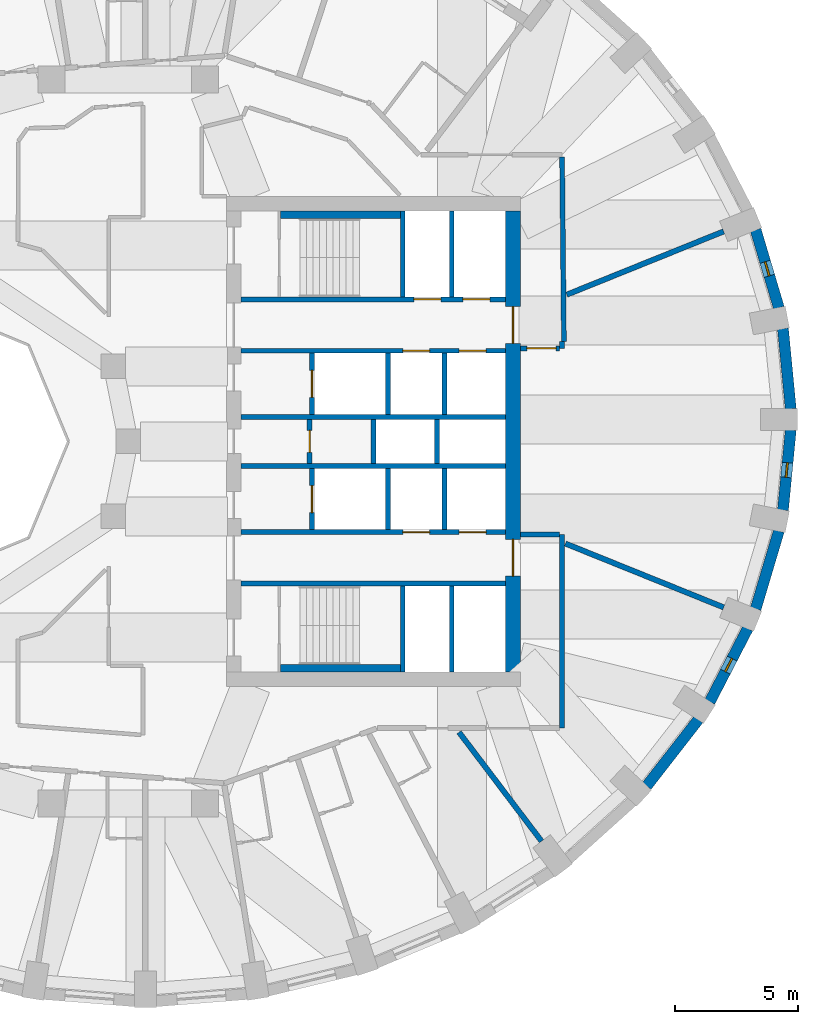
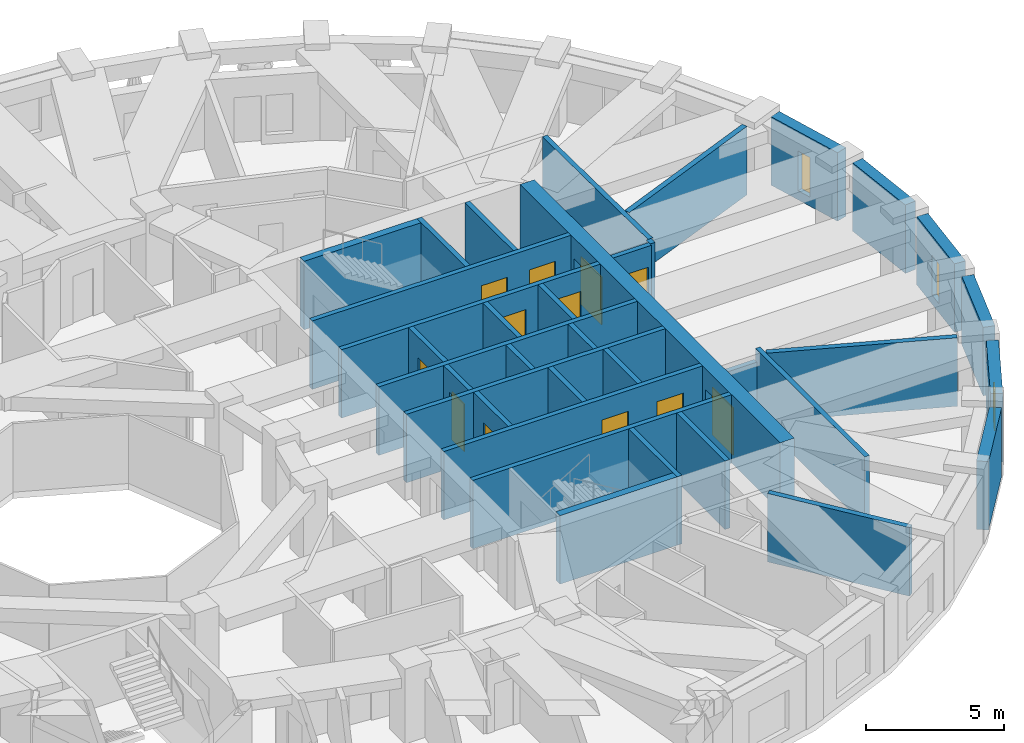
# One storey, part 6 of 12: 36 walls, 12 doors, 3 windows, 15 openings.
"""IFC4 building model written with IfcOpenShell, lengths in metres."""

from ifc_helpers import new_model, si_unit, direction, frame, frame_2d, origin, place, context, subcontext, project, spatial, rectangle, extrude, material, layer, layer_set, type_object, element, fill, save


model = new_model("IFC4")

# Units and contexts
model_context = context("Model", 3, precision=1e-05, world=origin(), true_north=direction((0.0, 1.0)))
body_context = subcontext(model_context, "Body", "Model", "MODEL_VIEW")
ifc_project = project(units=[si_unit("LENGTHUNIT", "METRE"), si_unit("AREAUNIT", "SQUARE_METRE"), si_unit("VOLUMEUNIT", "CUBIC_METRE"), si_unit("PLANEANGLEUNIT", "RADIAN"), si_unit("MASSUNIT", "GRAM", prefix="KILO")], contexts=[model_context])

# Site, building, storey
site_placement = place(None, origin())
site = spatial("IfcSite", under=ifc_project, at=site_placement, CompositionType="ELEMENT")
building_placement = place(site_placement, origin())
building = spatial("IfcBuilding", under=site, at=building_placement, Name="Taillehof Tower", CompositionType="ELEMENT")
storey_placement = place(building_placement, frame((0.0, 0.0, 189.199951171875)))
storey = spatial("IfcBuildingStorey", under=building, at=storey_placement, Name="L53", CompositionType="ELEMENT", Elevation=189.199951171875)

# Wall
ifc_material_1 = material(Name="Brick masonry", Category="masonry")
ifc_layer_1 = layer(ifc_material_1, 0.449951171875)
ifc_layer_set_1 = layer_set([ifc_layer_1], Name="Brick infill wall 450")
wall_type_1 = type_object("IfcWallType", Name="Brick infill wall 450", PredefinedType="SOLIDWALL", material=ifc_layer_set_1)
wall_1_placement = place(storey_placement, frame((27.0322265625, 1.330078125, 0.0), z_axis=(0.0, 0.0, 1.0), x_axis=(-0.096824116835, 0.995301507283, 0.0)))
element("IfcWall", 1, at=wall_1_placement, inside=storey, type_object=wall_type_1, Name="Brick wall L53 bay 1", PredefinedType="SOLIDWALL", context=body_context, shape_type="SweptSolid", body=[
    extrude(rectangle(XDim=3.29296875, YDim=0.449951171875, at=frame_2d((1.646484375, 0.0))), origin(), (0.0, 0.0, 1.0), 3.02001953125),
])

# Wall, opening, window
wall_2_placement = place(storey_placement, frame((26.548095703125, 5.451904296875, 0.0), z_axis=(0.0, 0.0, 1.0), x_axis=(-0.285444972963, 0.958395099847, 0.0)))
wall_2 = element("IfcWall", 2, at=wall_2_placement, inside=storey, type_object=wall_type_1, Name="Brick wall L53 bay 2", PredefinedType="SOLIDWALL", context=body_context, shape_type="SweptSolid", body=[
    extrude(rectangle(XDim=3.3203125, YDim=0.449951171875, at=frame_2d((1.66015625, 0.0))), origin(), (0.0, 0.0, 1.0), 3.02001953125),
])
opening_1_placement = place(wall_2_placement, frame((1.360107421875, 0.0, 0.39990234375)))
opening_1 = element("IfcOpeningElement", 3, at=opening_1_placement, cuts=wall_2, Name="Opening W6", PredefinedType="OPENING", context=body_context, shape_type="SweptSolid", body=[
    extrude(rectangle(XDim=0.60009765625, YDim=1.75, at=frame_2d((0.300048828125, 0.875))), frame((0.0, 0.23486328125, 0.0), z_axis=(0.0, -1.0, 0.0), x_axis=(1.0, 0.0, 0.0)), (0.0, 0.0, 1.0), 0.469970703125),
])
ifc_material_2 = material(Name="Aluminium window frame with clear double glazing", Category="aluminium")
window_type = type_object("IfcWindowType", Name="Slot window 600x1750", PartitioningType="SINGLE_PANEL", PredefinedType="WINDOW", material=ifc_material_2)
window_1_placement = place(opening_1_placement, origin())
window_1 = element("IfcWindow", 4, at=window_1_placement, inside=storey, type_object=window_type, Name="W6", OverallHeight=1.75, OverallWidth=0.60009765625, PartitioningType="SINGLE_PANEL", PredefinedType="WINDOW", context=body_context, shape_type="SweptSolid", body=[
    extrude(rectangle(XDim=0.60009765625, YDim=1.75, at=frame_2d((0.300048828125, 0.875))), frame((0.0, 0.034912109375, 0.0), z_axis=(0.0, -1.0, 0.0), x_axis=(1.0, 0.0, 0.0)), (0.0, 0.0, 1.0), 0.06005859375),
])
fill(opening_1, window_1)

# Wall
wall_3_placement = place(storey_placement, frame((21.1513671875, -14.06103515625, 0.0), z_axis=(0.0, 0.0, 1.0), x_axis=(0.614255239631, 0.789107407509, 0.0)))
element("IfcWall", 5, at=wall_3_placement, inside=storey, type_object=wall_type_1, Name="Brick wall L53 bay 33", PredefinedType="SOLIDWALL", context=body_context, shape_type="SweptSolid", body=[
    extrude(rectangle(XDim=3.4375, YDim=0.449951171875, at=frame_2d((1.71875, 0.0))), origin(), (0.0, 0.0, 1.0), 3.02001953125),
])

# Wall, opening, window
wall_4_placement = place(storey_placement, frame((23.72705078125, -10.6240234375, 0.0), z_axis=(0.0, 0.0, 1.0), x_axis=(0.460175500475, 0.887827972505, 0.0)))
wall_4 = element("IfcWall", 6, at=wall_4_placement, inside=storey, type_object=wall_type_1, Name="Brick wall L53 bay 34", PredefinedType="SOLIDWALL", context=body_context, shape_type="SweptSolid", body=[
    extrude(rectangle(XDim=3.37060546875, YDim=0.449951171875, at=frame_2d((1.685302734375, 0.0))), origin(), (0.0, 0.0, 1.0), 3.02001953125),
])
opening_2_placement = place(wall_4_placement, frame((1.38525390625, 0.0, 0.39990234375)))
opening_2 = element("IfcOpeningElement", 7, at=opening_2_placement, cuts=wall_4, Name="Opening W6", PredefinedType="OPENING", context=body_context, shape_type="SweptSolid", body=[
    extrude(rectangle(XDim=0.60009765625, YDim=1.75, at=frame_2d((0.300048828125, 0.875))), frame((0.0, 0.23486328125, 0.0), z_axis=(0.0, -1.0, 0.0), x_axis=(1.0, 0.0, 0.0)), (0.0, 0.0, 1.0), 0.469970703125),
])
window_2_placement = place(opening_2_placement, origin())
window_2 = element("IfcWindow", 8, at=window_2_placement, inside=storey, type_object=window_type, Name="W6", OverallHeight=1.75, OverallWidth=0.60009765625, PartitioningType="SINGLE_PANEL", PredefinedType="WINDOW", context=body_context, shape_type="SweptSolid", body=[
    extrude(rectangle(XDim=0.60009765625, YDim=1.75, at=frame_2d((0.300048828125, 0.875))), frame((0.0, 0.034912109375, 0.0), z_axis=(0.0, -1.0, 0.0), x_axis=(1.0, 0.0, 0.0)), (0.0, 0.0, 1.0), 0.06005859375),
])
fill(opening_2, window_2)

# Wall
wall_5_placement = place(storey_placement, frame((25.600341796875, -6.833984375, 0.0), z_axis=(0.0, 0.0, 1.0), x_axis=(0.285444972963, 0.958395099847, 0.0)))
element("IfcWall", 9, at=wall_5_placement, inside=storey, type_object=wall_type_1, Name="Brick wall L53 bay 35", PredefinedType="SOLIDWALL", context=body_context, shape_type="SweptSolid", body=[
    extrude(rectangle(XDim=3.3203125, YDim=0.449951171875, at=frame_2d((1.66015625, 0.0))), origin(), (0.0, 0.0, 1.0), 3.02001953125),
])

# Wall, opening, window
wall_6_placement = place(storey_placement, frame((26.71337890625, -2.807861328125, 0.0), z_axis=(0.0, 0.0, 1.0), x_axis=(0.096816972749, 0.995302202242, 0.0)))
wall_6 = element("IfcWall", 10, at=wall_6_placement, inside=storey, type_object=wall_type_1, Name="Brick wall L53 bay 36", PredefinedType="SOLIDWALL", context=body_context, shape_type="SweptSolid", body=[
    extrude(rectangle(XDim=3.293212890625, YDim=0.449951171875, at=frame_2d((1.646484375, 0.0))), origin(), (0.0, 0.0, 1.0), 3.02001953125),
])
opening_3_placement = place(wall_6_placement, frame((1.3466796875, 0.0, 0.39990234375)))
opening_3 = element("IfcOpeningElement", 11, at=opening_3_placement, cuts=wall_6, Name="Opening W6", PredefinedType="OPENING", context=body_context, shape_type="SweptSolid", body=[
    extrude(rectangle(XDim=0.60009765625, YDim=1.75, at=frame_2d((0.300048828125, 0.875))), frame((0.0, 0.23486328125, 0.0), z_axis=(0.0, -1.0, 0.0), x_axis=(1.0, 0.0, 0.0)), (0.0, 0.0, 1.0), 0.469970703125),
])
window_3_placement = place(opening_3_placement, origin())
window_3 = element("IfcWindow", 12, at=window_3_placement, inside=storey, type_object=window_type, Name="W6", OverallHeight=1.75, OverallWidth=0.60009765625, PartitioningType="SINGLE_PANEL", PredefinedType="WINDOW", context=body_context, shape_type="SweptSolid", body=[
    extrude(rectangle(XDim=0.60009765625, YDim=1.75, at=frame_2d((0.300048828125, 0.875))), frame((0.0, 0.034912109375, 0.0), z_axis=(0.0, -1.0, 0.0), x_axis=(1.0, 0.0, 0.0)), (0.0, 0.0, 1.0), 0.06005859375),
])
fill(opening_3, window_3)

# Wall, opening, door
ifc_material_3 = material(Name="Calcium silicate masonry", Category="masonry")
ifc_layer_2 = layer(ifc_material_3, 0.199951171875)
ifc_layer_set_2 = layer_set([ifc_layer_2], Name="Compartment wall calcium silicate 200")
wall_type_2 = type_object("IfcWallType", Name="Compartment wall calcium silicate 200", PredefinedType="PARTITIONING", material=ifc_layer_set_2)
wall_7_placement = place(storey_placement, frame((7.39990234375, -0.89990234375, 0.0), z_axis=(0.0, 0.0, 1.0), x_axis=(0.0, 1.0, 0.0)))
wall_7 = element("IfcWall", 13, at=wall_7_placement, inside=storey, type_object=wall_type_2, Name="Compartment wall FW", PredefinedType="PARTITIONING", context=body_context, shape_type="SweptSolid", body=[
    extrude(rectangle(XDim=1.7998046875, YDim=0.199951171875, at=frame_2d((0.89990234375, 0.0))), origin(), (0.0, 0.0, 1.0), 3.02001953125),
])
opening_4_placement = place(wall_7_placement, frame((0.449951171875, 0.0, 0.0)))
opening_4 = element("IfcOpeningElement", 14, at=opening_4_placement, cuts=wall_7, Name="Opening D5314", PredefinedType="OPENING", context=body_context, shape_type="SweptSolid", body=[
    extrude(rectangle(XDim=0.89990234375, YDim=2.10009765625, at=frame_2d((0.449951171875, 1.050048828125))), frame((0.0, 0.10986328125, 0.0), z_axis=(0.0, -1.0, 0.0), x_axis=(1.0, 0.0, 0.0)), (0.0, 0.0, 1.0), 0.219970703125),
])
ifc_material_4 = material(Name="Steel-faced fire door", Category="steel")
door_type_1 = type_object("IfcDoorType", Name="Riser and service room door 900x2100", OperationType="SINGLE_SWING_LEFT", PredefinedType="DOOR", material=ifc_material_4)
door_1_placement = place(opening_4_placement, origin())
door_1 = element("IfcDoor", 15, at=door_1_placement, inside=storey, type_object=door_type_1, Name="Door Waste Room", OperationType="SINGLE_SWING_RIGHT", OverallHeight=2.10009765625, OverallWidth=0.89990234375, PredefinedType="DOOR", context=body_context, shape_type="SweptSolid", body=[
    extrude(rectangle(XDim=0.89990234375, YDim=2.10009765625, at=frame_2d((0.449951171875, 1.050048828125))), frame((0.0, 0.02490234375, 0.0), z_axis=(0.0, -1.0, 0.0), x_axis=(1.0, 0.0, 0.0)), (0.0, 0.0, 1.0), 0.050048828125),
])
fill(opening_4, door_1)

# Walls
for number, where, z_axis, x_axis, name in (
    (16, (10.0, -0.89990234375, 0.0), (0.0, 0.0, 1.0), (0.0, 1.0, 0.0), "Compartment wall FW"),
    (17, (12.60009765625, -0.89990234375, 0.0), (0.0, 0.0, 1.0), (0.0, 1.0, 0.0), "Compartment wall FW"),
):
    element("IfcWall", number, at=place(storey_placement, frame(where, z_axis=z_axis, x_axis=x_axis)), inside=storey, type_object=wall_type_2, Name=name, PredefinedType="PARTITIONING", context=body_context, shape_type="SweptSolid", body=[
        extrude(rectangle(XDim=1.7998046875, YDim=0.199951171875, at=frame_2d((0.89990234375, 0.0))), origin(), (0.0, 0.0, 1.0), 3.02001953125),
    ])
ifc_material_5 = material(Name="Gypsum board on steel studs, two layers each side", Category="steel")
ifc_layer_3 = layer(ifc_material_5, 0.199951171875)
ifc_layer_set_3 = layer_set([ifc_layer_3], Name="Compartment wall corridor 200")
wall_type_3 = type_object("IfcWallType", Name="Compartment wall corridor 200", PredefinedType="PARTITIONING", material=ifc_layer_set_3)
wall_8_placement = place(storey_placement, frame((17.699951171875, -3.800048828125, 0.0), z_axis=(0.0, 0.0, 1.0), x_axis=(0.0, -1.0, 0.0)))
element("IfcWall", 18, at=wall_8_placement, inside=storey, type_object=wall_type_3, Name="Compartment wall", PredefinedType="PARTITIONING", context=body_context, shape_type="SweptSolid", body=[
    extrude(rectangle(XDim=7.89990234375, YDim=0.199951171875, at=frame_2d((3.949951171875, 0.0))), origin(), (0.0, 0.0, 1.0), 3.02001953125),
])
wall_9_placement = place(storey_placement, frame((17.701171875, 11.599853515625, 0.0), z_axis=(0.0, 0.0, 1.0), x_axis=(0.009840700525, -0.999951579134, 0.0)))
element("IfcWall", 19, at=wall_9_placement, inside=storey, type_object=wall_type_3, Name="Compartment wall", PredefinedType="PARTITIONING", context=body_context, shape_type="SweptSolid", body=[
    extrude(rectangle(XDim=7.51708984375, YDim=0.199951171875, at=frame_2d((3.758544921875, 0.0))), origin(), (0.0, 0.0, 1.0), 3.02001953125),
])
wall_10_placement = place(storey_placement, frame((17.699951171875, 4.0830078125, 0.0), z_axis=(0.0, 0.0, 1.0), x_axis=(0.0, -1.0, 0.0)))
element("IfcWall", 20, at=wall_10_placement, inside=storey, type_object=wall_type_3, Name="Compartment wall", PredefinedType="PARTITIONING", context=body_context, shape_type="SweptSolid", body=[
    extrude(rectangle(XDim=0.282958984375, YDim=0.199951171875, at=frame_2d((0.1416015625, 0.0))), origin(), (0.0, 0.0, 1.0), 3.02001953125),
])

# Wall, opening, door
wall_11_placement = place(storey_placement, frame((17.599853515625, 3.800048828125, 0.0), z_axis=(0.0, 0.0, 1.0), x_axis=(-1.0, 0.0, 0.0)))
wall_11 = element("IfcWall", 21, at=wall_11_placement, inside=storey, type_object=wall_type_3, Name="Compartment wall", PredefinedType="PARTITIONING", context=body_context, shape_type="SweptSolid", body=[
    extrude(rectangle(XDim=1.595947265625, YDim=0.199951171875, at=frame_2d((0.7978515625, 0.0))), origin(), (0.0, 0.0, 1.0), 3.02001953125),
])
opening_5_placement = place(wall_11_placement, frame((0.139892578125, 0.0, 0.0)))
opening_5 = element("IfcOpeningElement", 22, at=opening_5_placement, cuts=wall_11, Name="Opening D5369", PredefinedType="OPENING", context=body_context, shape_type="SweptSolid", body=[
    extrude(rectangle(XDim=1.199951171875, YDim=2.10009765625, at=frame_2d((0.60009765625, 1.050048828125))), frame((0.0, 0.10986328125, 0.0), z_axis=(0.0, -1.0, 0.0), x_axis=(1.0, 0.0, 0.0)), (0.0, 0.0, 1.0), 0.219970703125),
])
ifc_material_6 = material(Name="Timber door leaf in steel frame", Category="steel")
door_type_2 = type_object("IfcDoorType", Name="Suite entrance door EI 30 1200 x 2100", OperationType="SINGLE_SWING_LEFT", PredefinedType="DOOR", material=ifc_material_6)
door_2_placement = place(opening_5_placement, origin())
door_2 = element("IfcDoor", 23, at=door_2_placement, inside=storey, type_object=door_type_2, Name="D5369", OperationType="SINGLE_SWING_LEFT", OverallHeight=2.10009765625, OverallWidth=1.199951171875, PredefinedType="DOOR", context=body_context, shape_type="SweptSolid", body=[
    extrude(rectangle(XDim=1.199951171875, YDim=2.10009765625, at=frame_2d((0.60009765625, 1.050048828125))), frame((0.0, 0.02490234375, 0.0), z_axis=(0.0, -1.0, 0.0), x_axis=(1.0, 0.0, 0.0)), (0.0, 0.0, 1.0), 0.050048828125),
])
fill(opening_5, door_2)

# Walls
wall_12_placement = place(storey_placement, frame((16.00390625, -3.800048828125, 0.0), z_axis=(0.0, 0.0, 1.0), x_axis=(1.0, 0.0, 0.0)))
element("IfcWall", 24, at=wall_12_placement, inside=storey, type_object=wall_type_3, Name="Compartment wall", PredefinedType="PARTITIONING", context=body_context, shape_type="SweptSolid", body=[
    extrude(rectangle(XDim=1.595947265625, YDim=0.199951171875, at=frame_2d((0.7978515625, 0.0))), origin(), (0.0, 0.0, 1.0), 2.469970703125),
])
ifc_material_7 = material(Name="Gypsum board on double steel studs with mineral wool", Category="steel")
ifc_layer_4 = layer(ifc_material_7, 0.219970703125)
ifc_layer_set_4 = layer_set([ifc_layer_4], Name="Compartment wall guest room 220")
wall_type_4 = type_object("IfcWallType", Name="Compartment wall guest room 220", PredefinedType="PARTITIONING", material=ifc_layer_set_4)
wall_13_placement = place(storey_placement, frame((24.29541015625, 8.5712890625, 0.0), z_axis=(0.0, 0.0, 1.0), x_axis=(-0.927397147779, -0.374078240869, 0.0)))
element("IfcWall", 25, at=wall_13_placement, inside=storey, type_object=wall_type_4, Name="Compartment wall", PredefinedType="PARTITIONING", context=body_context, shape_type="SweptSolid", body=[
    extrude(rectangle(XDim=6.903076171875, YDim=0.219970703125, at=frame_2d((3.45166015625, 0.0))), origin(), (0.0, 0.0, 1.0), 3.02001953125),
])
wall_14_placement = place(storey_placement, frame((16.86328125, -16.3125, 0.0), z_axis=(0.0, 0.0, 1.0), x_axis=(-0.603626861738, 0.797266963939, 0.0)))
element("IfcWall", 26, at=wall_14_placement, inside=storey, type_object=wall_type_4, Name="Compartment wall", PredefinedType="PARTITIONING", context=body_context, shape_type="SweptSolid", body=[
    extrude(rectangle(XDim=5.580322265625, YDim=0.219970703125, at=frame_2d((2.7900390625, 0.0))), origin(), (0.0, 0.0, 1.0), 3.02001953125),
])
wall_15_placement = place(storey_placement, frame((24.29541015625, -6.771484375, 0.0), z_axis=(0.0, 0.0, 1.0), x_axis=(-0.927387137769, 0.374103056256, 0.0)))
element("IfcWall", 27, at=wall_15_placement, inside=storey, type_object=wall_type_4, Name="Compartment wall", PredefinedType="PARTITIONING", context=body_context, shape_type="SweptSolid", body=[
    extrude(rectangle(XDim=6.9638671875, YDim=0.219970703125, at=frame_2d((3.48193359375, 0.0))), origin(), (0.0, 0.0, 1.0), 3.02001953125),
])
ifc_material_8 = material(Name="Calcium silicate masonry", Category="masonry")
ifc_layer_5 = layer(ifc_material_8, 0.300048828125)
ifc_layer_set_5 = layer_set([ifc_layer_5], Name="Compartment wall lining calcium silicate 300")
wall_type_5 = type_object("IfcWallType", Name="Compartment wall lining calcium silicate 300", PredefinedType="PARTITIONING", material=ifc_layer_set_5)
for number, where, z_axis, x_axis, name in (
    (28, (6.219970703125, 9.25, 0.0), (0.0, 0.0, 1.0), (1.0, 0.0, 0.0), "Compartment wall FW"),
    (29, (6.219970703125, -9.25, 0.0), (0.0, 0.0, 1.0), (1.0, 0.0, 0.0), "Compartment wall FW"),
):
    element("IfcWall", number, at=place(storey_placement, frame(where, z_axis=z_axis, x_axis=x_axis)), inside=storey, type_object=wall_type_5, Name=name, PredefinedType="PARTITIONING", context=body_context, shape_type="SweptSolid", body=[
        extrude(rectangle(XDim=4.880126953125, YDim=0.300048828125, at=frame_2d((2.43994140625, 0.0))), origin(), (0.0, 0.0, 1.0), 3.02001953125),
    ])

# Wall, openings, doors
ifc_material_9 = material(Name="Concrete C80/95", Category="concrete")
ifc_layer_6 = layer(ifc_material_9, 0.60009765625)
ifc_layer_set_6 = layer_set([ifc_layer_6], Name="Core wall C80/95 600")
wall_type_6 = type_object("IfcWallType", Name="Core wall C80/95 600", PredefinedType="SHEAR", material=ifc_layer_set_6)
wall_16_placement = place(storey_placement, frame((15.699951171875, -9.39990234375, 0.0), z_axis=(0.0, 0.0, 1.0), x_axis=(0.0, 1.0, 0.0)))
wall_16 = element("IfcWall", 30, at=wall_16_placement, inside=storey, type_object=wall_type_6, Name="Core wall CW05", PredefinedType="SHEAR", context=body_context, shape_type="SweptSolid", body=[
    extrude(rectangle(XDim=18.7998046875, YDim=0.60009765625, at=frame_2d((9.39990234375, 0.0))), origin(), (0.0, 0.0, 1.0), 3.02001953125),
])
opening_6_placement = place(wall_16_placement, frame((13.39990234375, 0.0, 0.0)))
opening_6 = element("IfcOpeningElement", 31, at=opening_6_placement, cuts=wall_16, Name="Opening D5308", PredefinedType="OPENING", context=body_context, shape_type="SweptSolid", body=[
    extrude(rectangle(XDim=1.5, YDim=2.10009765625, at=frame_2d((0.75, 1.050048828125))), frame((0.0, 0.31005859375, 0.0), z_axis=(0.0, -1.0, 0.0), x_axis=(1.0, 0.0, 0.0)), (0.0, 0.0, 1.0), 0.6201171875),
])
opening_7_placement = place(wall_16_placement, frame((3.89990234375, 0.0, 0.0)))
opening_7 = element("IfcOpeningElement", 32, at=opening_7_placement, cuts=wall_16, Name="Opening D5309", PredefinedType="OPENING", context=body_context, shape_type="SweptSolid", body=[
    extrude(rectangle(XDim=1.5, YDim=2.10009765625, at=frame_2d((0.75, 1.050048828125))), frame((0.0, 0.31005859375, 0.0), z_axis=(0.0, -1.0, 0.0), x_axis=(1.0, 0.0, 0.0)), (0.0, 0.0, 1.0), 0.6201171875),
])
ifc_material_10 = material(Name="Steel-faced fire door", Category="steel")
door_type_3 = type_object("IfcDoorType", Name="Lift lobby east door 1500x2100", OperationType="DOUBLE_DOOR_SINGLE_SWING", PredefinedType="DOOR", material=ifc_material_10)
door_3_placement = place(opening_6_placement, origin())
door_3 = element("IfcDoor", 33, at=door_3_placement, inside=storey, type_object=door_type_3, Name="Lift lobby east door north", OperationType="DOUBLE_DOOR_SINGLE_SWING", OverallHeight=2.10009765625, OverallWidth=1.5, PredefinedType="DOOR", context=body_context, shape_type="SweptSolid", body=[
    extrude(rectangle(XDim=1.5, YDim=2.10009765625, at=frame_2d((0.75, 1.050048828125))), frame((0.0, 0.02490234375, 0.0), z_axis=(0.0, -1.0, 0.0), x_axis=(1.0, 0.0, 0.0)), (0.0, 0.0, 1.0), 0.050048828125),
])
fill(opening_6, door_3)
door_4_placement = place(opening_7_placement, origin())
door_4 = element("IfcDoor", 34, at=door_4_placement, inside=storey, type_object=door_type_3, Name="Lift lobby east door south", OperationType="DOUBLE_DOOR_SINGLE_SWING", OverallHeight=2.10009765625, OverallWidth=1.5, PredefinedType="DOOR", context=body_context, shape_type="SweptSolid", body=[
    extrude(rectangle(XDim=1.5, YDim=2.10009765625, at=frame_2d((0.75, 1.050048828125))), frame((0.0, 0.02490234375, 0.0), z_axis=(0.0, -1.0, 0.0), x_axis=(1.0, 0.0, 0.0)), (0.0, 0.0, 1.0), 0.050048828125),
])
fill(opening_7, door_4)

ifc_material_11 = material(Name="Concrete C50/60", Category="concrete")
ifc_layer_7 = layer(ifc_material_11, 0.199951171875)
ifc_layer_set_7 = layer_set([ifc_layer_7], Name="Shaft wall C50/60 200")
wall_type_7 = type_object("IfcWallType", Name="Shaft wall C50/60 200", PredefinedType="SHEAR", material=ifc_layer_set_7)
wall_17_placement = place(storey_placement, frame((4.60009765625, 5.800048828125, 0.0), z_axis=(0.0, 0.0, 1.0), x_axis=(1.0, 0.0, 0.0)))
wall_17 = element("IfcWall", 35, at=wall_17_placement, inside=storey, type_object=wall_type_7, Name="Shaft wall SW", PredefinedType="SHEAR", context=body_context, shape_type="SweptSolid", body=[
    extrude(rectangle(XDim=10.7998046875, YDim=0.199951171875, at=frame_2d((5.39990234375, 0.0))), origin(), (0.0, 0.0, 1.0), 3.02001953125),
])
opening_8_placement = place(wall_17_placement, frame((7.050048828125, 0.0, 0.0)))
opening_8 = element("IfcOpeningElement", 36, at=opening_8_placement, cuts=wall_17, Name="Opening LD1", PredefinedType="OPENING", context=body_context, shape_type="SweptSolid", body=[
    extrude(rectangle(XDim=1.10009765625, YDim=2.10009765625, at=frame_2d((0.550048828125, 1.050048828125))), frame((0.0, 0.10986328125, 0.0), z_axis=(0.0, -1.0, 0.0), x_axis=(1.0, 0.0, 0.0)), (0.0, 0.0, 1.0), 0.219970703125),
])
opening_9_placement = place(wall_17_placement, frame((9.050048828125, 0.0, 0.0)))
opening_9 = element("IfcOpeningElement", 37, at=opening_9_placement, cuts=wall_17, Name="Opening LD1", PredefinedType="OPENING", context=body_context, shape_type="SweptSolid", body=[
    extrude(rectangle(XDim=1.10009765625, YDim=2.10009765625, at=frame_2d((0.550048828125, 1.050048828125))), frame((0.0, 0.10986328125, 0.0), z_axis=(0.0, -1.0, 0.0), x_axis=(1.0, 0.0, 0.0)), (0.0, 0.0, 1.0), 0.219970703125),
])
ifc_material_12 = material(Name="Stainless steel", Category="steel")
door_type_4 = type_object("IfcDoorType", Name="Lift landing door LD1 1100x2100", OperationType="DOUBLE_DOOR_SLIDING", PredefinedType="DOOR", material=ifc_material_12)
door_5_placement = place(opening_8_placement, origin())
door_5 = element("IfcDoor", 38, at=door_5_placement, inside=storey, type_object=door_type_4, Name="Landing door HR1", OperationType="DOUBLE_DOOR_SLIDING", OverallHeight=2.10009765625, OverallWidth=1.10009765625, PredefinedType="DOOR", context=body_context, shape_type="SweptSolid", body=[
    extrude(rectangle(XDim=1.10009765625, YDim=2.10009765625, at=frame_2d((0.550048828125, 1.050048828125))), frame((0.0, 0.02490234375, 0.0), z_axis=(0.0, -1.0, 0.0), x_axis=(1.0, 0.0, 0.0)), (0.0, 0.0, 1.0), 0.050048828125),
])
fill(opening_8, door_5)
door_6_placement = place(opening_9_placement, origin())
door_6 = element("IfcDoor", 39, at=door_6_placement, inside=storey, type_object=door_type_4, Name="Landing door HR2", OperationType="DOUBLE_DOOR_SLIDING", OverallHeight=2.10009765625, OverallWidth=1.10009765625, PredefinedType="DOOR", context=body_context, shape_type="SweptSolid", body=[
    extrude(rectangle(XDim=1.10009765625, YDim=2.10009765625, at=frame_2d((0.550048828125, 1.050048828125))), frame((0.0, 0.02490234375, 0.0), z_axis=(0.0, -1.0, 0.0), x_axis=(1.0, 0.0, 0.0)), (0.0, 0.0, 1.0), 0.050048828125),
])
fill(opening_9, door_6)

wall_18_placement = place(storey_placement, frame((4.60009765625, 3.699951171875, 0.0), z_axis=(0.0, 0.0, 1.0), x_axis=(1.0, 0.0, 0.0)))
wall_18 = element("IfcWall", 40, at=wall_18_placement, inside=storey, type_object=wall_type_7, Name="Shaft wall SW", PredefinedType="SHEAR", context=body_context, shape_type="SweptSolid", body=[
    extrude(rectangle(XDim=10.7998046875, YDim=0.199951171875, at=frame_2d((5.39990234375, 0.0))), origin(), (0.0, 0.0, 1.0), 3.02001953125),
])
opening_10_placement = place(wall_18_placement, frame((6.60009765625, 0.0, 0.0)))
opening_10 = element("IfcOpeningElement", 41, at=opening_10_placement, cuts=wall_18, Name="Opening LD1", PredefinedType="OPENING", context=body_context, shape_type="SweptSolid", body=[
    extrude(rectangle(XDim=1.10009765625, YDim=2.10009765625, at=frame_2d((0.550048828125, 1.050048828125))), frame((0.0, 0.10986328125, 0.0), z_axis=(0.0, -1.0, 0.0), x_axis=(1.0, 0.0, 0.0)), (0.0, 0.0, 1.0), 0.219970703125),
])
opening_11_placement = place(wall_18_placement, frame((8.89990234375, 0.0, 0.0)))
opening_11 = element("IfcOpeningElement", 42, at=opening_11_placement, cuts=wall_18, Name="Opening LD1", PredefinedType="OPENING", context=body_context, shape_type="SweptSolid", body=[
    extrude(rectangle(XDim=1.10009765625, YDim=2.10009765625, at=frame_2d((0.550048828125, 1.050048828125))), frame((0.0, 0.10986328125, 0.0), z_axis=(0.0, -1.0, 0.0), x_axis=(1.0, 0.0, 0.0)), (0.0, 0.0, 1.0), 0.219970703125),
])
door_7_placement = place(opening_10_placement, origin())
door_7 = element("IfcDoor", 43, at=door_7_placement, inside=storey, type_object=door_type_4, Name="Landing door HR3", OperationType="DOUBLE_DOOR_SLIDING", OverallHeight=2.10009765625, OverallWidth=1.10009765625, PredefinedType="DOOR", context=body_context, shape_type="SweptSolid", body=[
    extrude(rectangle(XDim=1.10009765625, YDim=2.10009765625, at=frame_2d((0.550048828125, 1.050048828125))), frame((0.0, 0.02490234375, 0.0), z_axis=(0.0, -1.0, 0.0), x_axis=(1.0, 0.0, 0.0)), (0.0, 0.0, 1.0), 0.050048828125),
])
fill(opening_10, door_7)
door_8_placement = place(opening_11_placement, origin())
door_8 = element("IfcDoor", 44, at=door_8_placement, inside=storey, type_object=door_type_4, Name="Landing door HR4", OperationType="DOUBLE_DOOR_SLIDING", OverallHeight=2.10009765625, OverallWidth=1.10009765625, PredefinedType="DOOR", context=body_context, shape_type="SweptSolid", body=[
    extrude(rectangle(XDim=1.10009765625, YDim=2.10009765625, at=frame_2d((0.550048828125, 1.050048828125))), frame((0.0, 0.02490234375, 0.0), z_axis=(0.0, -1.0, 0.0), x_axis=(1.0, 0.0, 0.0)), (0.0, 0.0, 1.0), 0.050048828125),
])
fill(opening_11, door_8)

# Walls
for number, where, z_axis, x_axis, name in (
    (45, (4.60009765625, 1.0, 0.0), (0.0, 0.0, 1.0), (1.0, 0.0, 0.0), "Shaft wall SW"),
    (46, (4.60009765625, -1.0, 0.0), (0.0, 0.0, 1.0), (1.0, 0.0, 0.0), "Shaft wall SW"),
):
    element("IfcWall", number, at=place(storey_placement, frame(where, z_axis=z_axis, x_axis=x_axis)), inside=storey, type_object=wall_type_7, Name=name, PredefinedType="SHEAR", context=body_context, shape_type="SweptSolid", body=[
        extrude(rectangle(XDim=10.7998046875, YDim=0.199951171875, at=frame_2d((5.39990234375, 0.0))), origin(), (0.0, 0.0, 1.0), 3.02001953125),
    ])

# Wall, openings, doors
wall_19_placement = place(storey_placement, frame((4.60009765625, -3.699951171875, 0.0), z_axis=(0.0, 0.0, 1.0), x_axis=(1.0, 0.0, 0.0)))
wall_19 = element("IfcWall", 47, at=wall_19_placement, inside=storey, type_object=wall_type_7, Name="Shaft wall SW", PredefinedType="SHEAR", context=body_context, shape_type="SweptSolid", body=[
    extrude(rectangle(XDim=10.7998046875, YDim=0.199951171875, at=frame_2d((5.39990234375, 0.0))), origin(), (0.0, 0.0, 1.0), 3.02001953125),
])
opening_12_placement = place(wall_19_placement, frame((6.60009765625, 0.0, 0.0)))
opening_12 = element("IfcOpeningElement", 48, at=opening_12_placement, cuts=wall_19, Name="Opening LD1", PredefinedType="OPENING", context=body_context, shape_type="SweptSolid", body=[
    extrude(rectangle(XDim=1.10009765625, YDim=2.10009765625, at=frame_2d((0.550048828125, 1.050048828125))), frame((0.0, 0.10986328125, 0.0), z_axis=(0.0, -1.0, 0.0), x_axis=(1.0, 0.0, 0.0)), (0.0, 0.0, 1.0), 0.219970703125),
])
opening_13_placement = place(wall_19_placement, frame((8.89990234375, 0.0, 0.0)))
opening_13 = element("IfcOpeningElement", 49, at=opening_13_placement, cuts=wall_19, Name="Opening LD1", PredefinedType="OPENING", context=body_context, shape_type="SweptSolid", body=[
    extrude(rectangle(XDim=1.10009765625, YDim=2.10009765625, at=frame_2d((0.550048828125, 1.050048828125))), frame((0.0, 0.10986328125, 0.0), z_axis=(0.0, -1.0, 0.0), x_axis=(1.0, 0.0, 0.0)), (0.0, 0.0, 1.0), 0.219970703125),
])
door_9_placement = place(opening_12_placement, origin())
door_9 = element("IfcDoor", 50, at=door_9_placement, inside=storey, type_object=door_type_4, Name="Landing door HR5", OperationType="DOUBLE_DOOR_SLIDING", OverallHeight=2.10009765625, OverallWidth=1.10009765625, PredefinedType="DOOR", context=body_context, shape_type="SweptSolid", body=[
    extrude(rectangle(XDim=1.10009765625, YDim=2.10009765625, at=frame_2d((0.550048828125, 1.050048828125))), frame((0.0, 0.02490234375, 0.0), z_axis=(0.0, -1.0, 0.0), x_axis=(1.0, 0.0, 0.0)), (0.0, 0.0, 1.0), 0.050048828125),
])
fill(opening_12, door_9)
door_10_placement = place(opening_13_placement, origin())
door_10 = element("IfcDoor", 51, at=door_10_placement, inside=storey, type_object=door_type_4, Name="Landing door HR6", OperationType="DOUBLE_DOOR_SLIDING", OverallHeight=2.10009765625, OverallWidth=1.10009765625, PredefinedType="DOOR", context=body_context, shape_type="SweptSolid", body=[
    extrude(rectangle(XDim=1.10009765625, YDim=2.10009765625, at=frame_2d((0.550048828125, 1.050048828125))), frame((0.0, 0.02490234375, 0.0), z_axis=(0.0, -1.0, 0.0), x_axis=(1.0, 0.0, 0.0)), (0.0, 0.0, 1.0), 0.050048828125),
])
fill(opening_13, door_10)

# Walls
wall_20_placement = place(storey_placement, frame((4.60009765625, -5.800048828125, 0.0), z_axis=(0.0, 0.0, 1.0), x_axis=(1.0, 0.0, 0.0)))
element("IfcWall", 52, at=wall_20_placement, inside=storey, type_object=wall_type_7, Name="Shaft wall SW", PredefinedType="SHEAR", context=body_context, shape_type="SweptSolid", body=[
    extrude(rectangle(XDim=10.7998046875, YDim=0.199951171875, at=frame_2d((5.39990234375, 0.0))), origin(), (0.0, 0.0, 1.0), 3.02001953125),
])
for number, where, z_axis, x_axis, name in (
    (53, (11.199951171875, 5.89990234375, 0.0), (0.0, 0.0, 1.0), (0.0, 1.0, 0.0), "Shaft wall SW"),
    (54, (11.199951171875, -9.39990234375, 0.0), (0.0, 0.0, 1.0), (0.0, 1.0, 0.0), "Shaft wall SW"),
    (55, (13.199951171875, 5.89990234375, 0.0), (0.0, 0.0, 1.0), (0.0, 1.0, 0.0), "Shaft wall SW"),
    (56, (13.199951171875, -9.39990234375, 0.0), (0.0, 0.0, 1.0), (0.0, 1.0, 0.0), "Shaft wall SW"),
):
    element("IfcWall", number, at=place(storey_placement, frame(where, z_axis=z_axis, x_axis=x_axis)), inside=storey, type_object=wall_type_7, Name=name, PredefinedType="SHEAR", context=body_context, shape_type="SweptSolid", body=[
        extrude(rectangle(XDim=3.5, YDim=0.199951171875, at=frame_2d((1.75, 0.0))), origin(), (0.0, 0.0, 1.0), 3.02001953125),
    ])

# Wall, opening, door
wall_21_placement = place(storey_placement, frame((7.5, 1.10009765625, 0.0), z_axis=(0.0, 0.0, 1.0), x_axis=(0.0, 1.0, 0.0)))
wall_21 = element("IfcWall", 57, at=wall_21_placement, inside=storey, type_object=wall_type_7, Name="Shaft wall SW", PredefinedType="SHEAR", context=body_context, shape_type="SweptSolid", body=[
    extrude(rectangle(XDim=2.5, YDim=0.199951171875, at=frame_2d((1.25, 0.0))), origin(), (0.0, 0.0, 1.0), 3.02001953125),
])
opening_14_placement = place(wall_21_placement, frame((0.699951171875, 0.0, 0.0)))
opening_14 = element("IfcOpeningElement", 58, at=opening_14_placement, cuts=wall_21, Name="Opening LD1", PredefinedType="OPENING", context=body_context, shape_type="SweptSolid", body=[
    extrude(rectangle(XDim=1.10009765625, YDim=2.10009765625, at=frame_2d((0.550048828125, 1.050048828125))), frame((0.0, 0.10986328125, 0.0), z_axis=(0.0, -1.0, 0.0), x_axis=(1.0, 0.0, 0.0)), (0.0, 0.0, 1.0), 0.219970703125),
])
door_11_placement = place(opening_14_placement, origin())
door_11 = element("IfcDoor", 59, at=door_11_placement, inside=storey, type_object=door_type_4, Name="Landing door FF1", OperationType="DOUBLE_DOOR_SLIDING", OverallHeight=2.10009765625, OverallWidth=1.10009765625, PredefinedType="DOOR", context=body_context, shape_type="SweptSolid", body=[
    extrude(rectangle(XDim=1.10009765625, YDim=2.10009765625, at=frame_2d((0.550048828125, 1.050048828125))), frame((0.0, 0.02490234375, 0.0), z_axis=(0.0, -1.0, 0.0), x_axis=(1.0, 0.0, 0.0)), (0.0, 0.0, 1.0), 0.050048828125),
])
fill(opening_14, door_11)

wall_22_placement = place(storey_placement, frame((7.5, -3.60009765625, 0.0), z_axis=(0.0, 0.0, 1.0), x_axis=(0.0, 1.0, 0.0)))
wall_22 = element("IfcWall", 60, at=wall_22_placement, inside=storey, type_object=wall_type_7, Name="Shaft wall SW", PredefinedType="SHEAR", context=body_context, shape_type="SweptSolid", body=[
    extrude(rectangle(XDim=2.5, YDim=0.199951171875, at=frame_2d((1.25, 0.0))), origin(), (0.0, 0.0, 1.0), 3.02001953125),
])
opening_15_placement = place(wall_22_placement, frame((0.699951171875, 0.0, 0.0)))
opening_15 = element("IfcOpeningElement", 61, at=opening_15_placement, cuts=wall_22, Name="Opening LD1", PredefinedType="OPENING", context=body_context, shape_type="SweptSolid", body=[
    extrude(rectangle(XDim=1.10009765625, YDim=2.10009765625, at=frame_2d((0.550048828125, 1.050048828125))), frame((0.0, 0.10986328125, 0.0), z_axis=(0.0, -1.0, 0.0), x_axis=(1.0, 0.0, 0.0)), (0.0, 0.0, 1.0), 0.219970703125),
])
door_12_placement = place(opening_15_placement, origin())
door_12 = element("IfcDoor", 62, at=door_12_placement, inside=storey, type_object=door_type_4, Name="Landing door FF2", OperationType="DOUBLE_DOOR_SLIDING", OverallHeight=2.10009765625, OverallWidth=1.10009765625, PredefinedType="DOOR", context=body_context, shape_type="SweptSolid", body=[
    extrude(rectangle(XDim=1.10009765625, YDim=2.10009765625, at=frame_2d((0.550048828125, 1.050048828125))), frame((0.0, 0.02490234375, 0.0), z_axis=(0.0, -1.0, 0.0), x_axis=(1.0, 0.0, 0.0)), (0.0, 0.0, 1.0), 0.050048828125),
])
fill(opening_15, door_12)

# Walls
for number, where, z_axis, x_axis, name in (
    (63, (10.60009765625, 1.10009765625, 0.0), (0.0, 0.0, 1.0), (0.0, 1.0, 0.0), "Shaft wall SW"),
    (64, (10.60009765625, -3.60009765625, 0.0), (0.0, 0.0, 1.0), (0.0, 1.0, 0.0), "Shaft wall SW"),
    (65, (12.89990234375, 1.10009765625, 0.0), (0.0, 0.0, 1.0), (0.0, 1.0, 0.0), "Shaft wall SW"),
    (66, (12.89990234375, -3.60009765625, 0.0), (0.0, 0.0, 1.0), (0.0, 1.0, 0.0), "Shaft wall SW"),
):
    element("IfcWall", number, at=place(storey_placement, frame(where, z_axis=z_axis, x_axis=x_axis)), inside=storey, type_object=wall_type_7, Name=name, PredefinedType="SHEAR", context=body_context, shape_type="SweptSolid", body=[
        extrude(rectangle(XDim=2.5, YDim=0.199951171875, at=frame_2d((1.25, 0.0))), origin(), (0.0, 0.0, 1.0), 3.02001953125),
    ])

save(model, "model.ifc")
